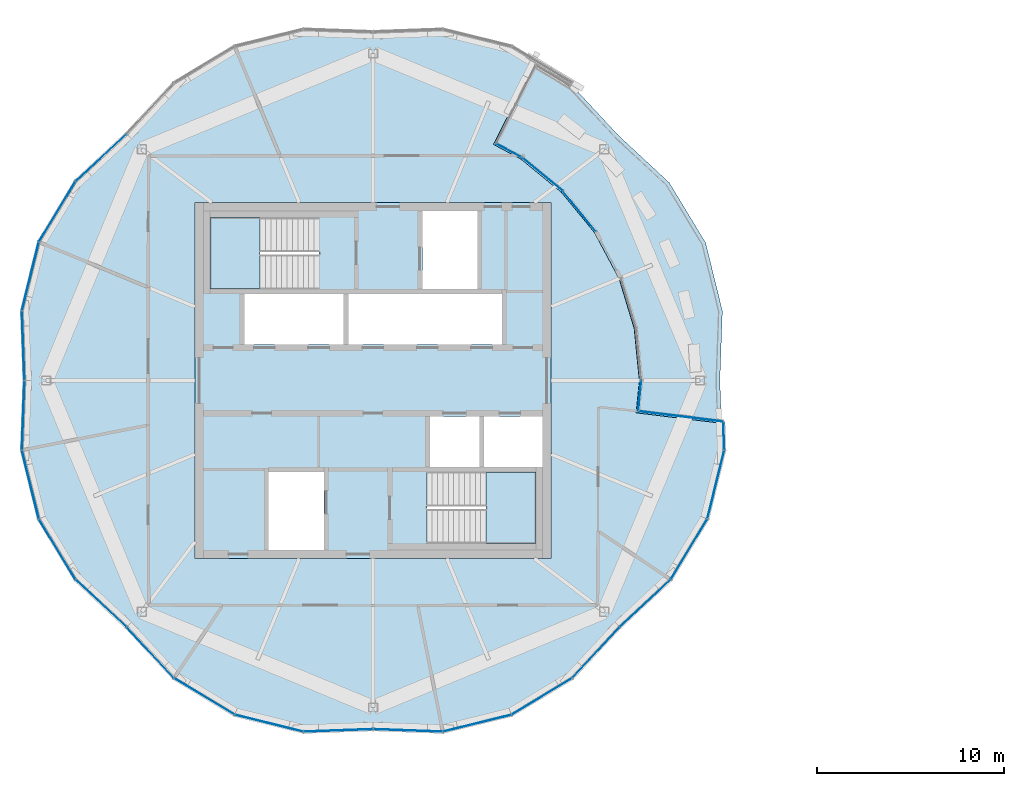
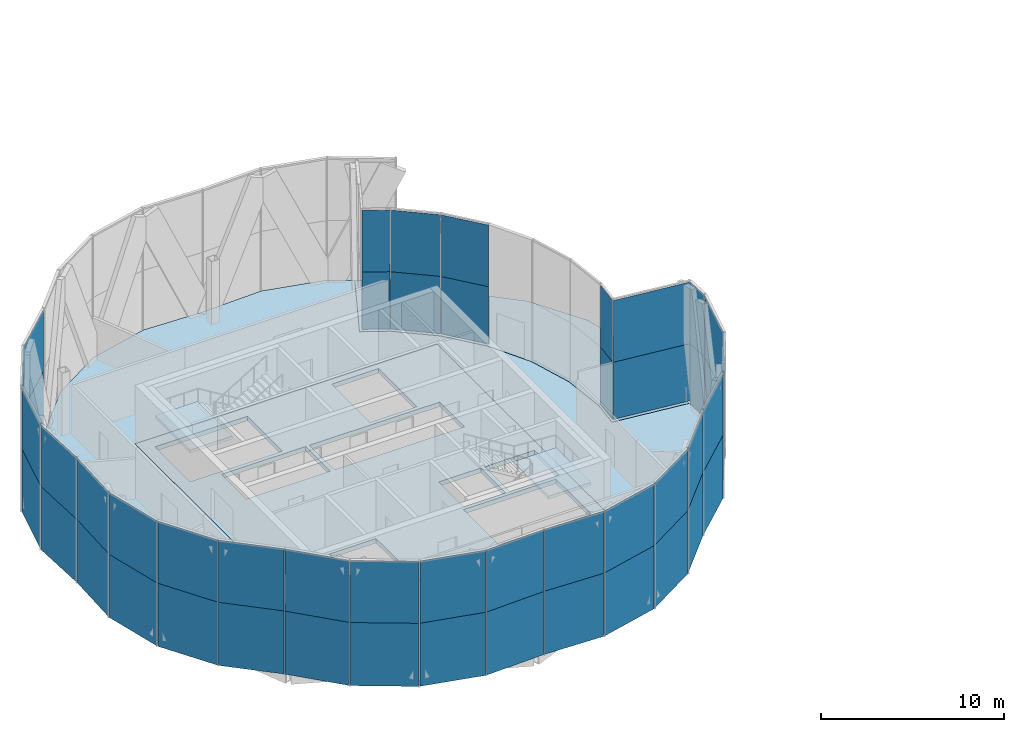
# One storey, part 13 of 24: 50 plates, 5 slabs, 11 elements without a shape of their own.
"""IFC4 building model written with IfcOpenShell, lengths in metres."""

from ifc_helpers import new_model, si_unit, direction, frame, origin, origin_2d, place, context, subcontext, project, spatial, polyline, rectangle, outline, extrude, material, layer, layer_set, type_object, element, aggregate, save


model = new_model("IFC4")

# Units and contexts
model_context = context("Model", 3, precision=1e-05, world=origin(), true_north=direction((0.0, 1.0)))
body_context = subcontext(model_context, "Body", "Model", "MODEL_VIEW")
ifc_project = project(units=[si_unit("LENGTHUNIT", "METRE"), si_unit("AREAUNIT", "SQUARE_METRE"), si_unit("VOLUMEUNIT", "CUBIC_METRE"), si_unit("PLANEANGLEUNIT", "RADIAN"), si_unit("MASSUNIT", "GRAM", prefix="KILO")], contexts=[model_context])

# Site, building, storey
site_placement = place(None, origin())
site = spatial("IfcSite", under=ifc_project, at=site_placement, CompositionType="ELEMENT")
building_placement = place(site_placement, origin())
building = spatial("IfcBuilding", under=site, at=building_placement, Name="Ogive Gate Towers", CompositionType="ELEMENT")
storey_placement = place(building_placement, frame((0.0, 0.0, 277.199951171875)))
storey = spatial("IfcBuildingStorey", under=building, at=storey_placement, Name="L65", CompositionType="ELEMENT", Elevation=277.199951171875)

# Slabs
ifc_material_1 = material(Name="Concrete C40/50", Category="concrete")
ifc_layer_1 = layer(ifc_material_1, 0.300048828125)
ifc_layer_set_1 = layer_set([ifc_layer_1], Name="Core slab C40/50 300 mm")
slab_type_1 = type_object("IfcSlabType", Name="Core slab C40/50 300 mm", PredefinedType="FLOOR", material=ifc_layer_set_1)
slab_1_placement = place(storey_placement, frame((0.0, 0.0, -0.300048828125)))
element("IfcSlab", 1, at=slab_1_placement, inside=storey, type_object=slab_type_1, Name="T1 L65 core slab", PredefinedType="FLOOR", context=body_context, shape_type="SweptSolid", body=[
    extrude(outline(polyline([(-45.5, -9.5), (-45.5, 9.5), (-26.5, 9.5), (-26.5, -9.5), (-45.5, -9.5)]), holes=[polyline([(-42.875, 1.925048828125), (-37.574951171875, 1.925048828125), (-37.574951171875, 4.625), (-42.875, 4.625), (-42.875, 1.925048828125)]), polyline([(-37.324951171875, 4.625), (-37.324951171875, 1.925048828125), (-29.125, 1.925048828125), (-29.125, 4.625), (-37.324951171875, 4.625)]), polyline([(-30.324951171875, -1.925048828125), (-32.97509765625, -1.925048828125), (-32.97509765625, -4.625), (-30.324951171875, -4.625), (-30.324951171875, -1.925048828125)]), polyline([(-26.949951171875, -4.625), (-26.949951171875, -1.925048828125), (-30.074951171875, -1.925048828125), (-30.074951171875, -4.625), (-26.949951171875, -4.625)]), polyline([(-33.375, 4.875), (-30.425048828125, 4.875), (-30.425048828125, 9.050048828125), (-33.375, 9.050048828125), (-33.375, 4.875)]), polyline([(-41.574951171875, -4.875), (-41.574951171875, -9.050048828125), (-38.625, -9.050048828125), (-38.625, -4.875), (-41.574951171875, -4.875)]), polyline([(-44.699951171875, 4.875), (-38.885009765625, 4.875), (-38.885009765625, 8.699951171875), (-44.699951171875, 8.699951171875), (-44.699951171875, 4.875)]), polyline([(-27.300048828125, -8.699951171875), (-27.300048828125, -4.875), (-33.114990234375, -4.875), (-33.114990234375, -8.699951171875), (-27.300048828125, -8.699951171875)])]), origin(), (0.0, 0.0, 1.0), 0.300048828125),
])
ifc_material_2 = material(Name="Concrete C35/45", Category="concrete")
ifc_layer_2 = layer(ifc_material_2, 0.300048828125)
ifc_layer_set_2 = layer_set([ifc_layer_2], Name="Floor slab 300")
slab_type_2 = type_object("IfcSlabType", Name="Floor slab 300", PredefinedType="FLOOR", material=ifc_layer_set_2)
slab_2_placement = place(storey_placement, frame((0.0, 0.0, -0.300048828125)))
element("IfcSlab", 2, at=slab_2_placement, inside=storey, type_object=slab_type_2, Name="T1/L65/SSL001", PredefinedType="FLOOR", context=body_context, shape_type="SweptSolid", body=[
    extrude(outline(polyline([(-18.252197265625, -7.351318359375), (-17.355224609375, -3.708740234375), (-17.406982421875, -2.282958984375), (-21.959716796875, -1.723876953125), (-21.7900390625, 0.0), (-22.06298828125, 2.772216796875), (-22.87158203125, 5.43798828125), (-24.184814453125, 7.89453125), (-25.951904296875, 10.048095703125), (-28.10546875, 11.815185546875), (-29.57861328125, 12.602783203125), (-27.35546875, 16.965576171875), (-25.438720703125, 15.80615234375), (-28.648681640625, 17.747802734375), (-32.291259765625, 18.644775390625), (-36.0, 18.510009765625), (-39.708740234375, 18.644775390625), (-43.351318359375, 17.747802734375), (-46.561279296875, 15.80615234375), (-49.088623046875, 13.088623046875), (-51.80615234375, 10.561279296875), (-53.747802734375, 7.351318359375), (-54.644775390625, 3.708740234375), (-54.510009765625, 0.0), (-54.644775390625, -3.708740234375), (-53.747802734375, -7.351318359375), (-51.80615234375, -10.561279296875), (-49.088623046875, -13.088623046875), (-46.561279296875, -15.80615234375), (-43.351318359375, -17.747802734375), (-39.708740234375, -18.644775390625), (-36.0, -18.510009765625), (-32.291259765625, -18.644775390625), (-28.648681640625, -17.747802734375), (-25.438720703125, -15.80615234375), (-22.911376953125, -13.088623046875), (-20.19384765625, -10.561279296875), (-18.252197265625, -7.351318359375)]), holes=[polyline([(-26.5, -9.5), (-45.5, -9.5), (-45.5, 9.5), (-26.5, 9.5), (-26.5, -9.5)])]), origin(), (0.0, 0.0, 1.0), 0.300048828125),
])

# Curtain wall, plates
ifc_material_3 = material(Name="Pale metal aluminium", Category="aluminium")
curtain_wall_type_1 = type_object("IfcCurtainWallType", Name="Sky garden glazing", PredefinedType="NOTDEFINED", material=ifc_material_3)
curtain_wall_1_placement = place(storey_placement, origin())
curtain_wall_1 = element("IfcCurtainWall", 3, at=curtain_wall_1_placement, inside=storey, type_object=curtain_wall_type_1, Name="CW4 T1 ECW01", PredefinedType="NOTDEFINED")
ifc_material_4 = material(Name="Clear glass", Category="glass")
ifc_layer_3 = layer(ifc_material_4, 0.028076171875)
ifc_layer_set_3 = layer_set([ifc_layer_3], Name="Sky garden glazing glass panel")
plate_type_1 = type_object("IfcPlateType", Name="Sky garden glazing glass panel", PredefinedType="CURTAIN_PANEL", material=ifc_layer_set_3)
plate_1_placement = place(storey_placement, frame((-24.9912109375, 9.03466796875, 0.09619140625), z_axis=(0.0, 0.0, 1.0), x_axis=(0.634406775645, -0.772999380993, 0.0)))
plate_1 = element("IfcPlate", 4, at=plate_1_placement, type_object=plate_type_1, Name="CW4 glass panel", PredefinedType="CURTAIN_PANEL", context=body_context, shape_type="SweptSolid", body=[
    extrude(rectangle(XDim=2.76123046875, YDim=0.028076171875, at=origin_2d()), origin(), (0.0, 0.0, 1.0), 3.803955078125),
])
plate_2_placement = place(storey_placement, frame((-24.9912109375, 9.03466796875, 3.900146484375), z_axis=(0.0, 0.0, 1.0), x_axis=(0.634406775645, -0.772999380993, 0.0)))
plate_2 = element("IfcPlate", 5, at=plate_2_placement, type_object=plate_type_1, Name="CW4 glass panel", PredefinedType="CURTAIN_PANEL", context=body_context, shape_type="SweptSolid", body=[
    extrude(rectangle(XDim=2.76123046875, YDim=0.028076171875, at=origin_2d()), origin(), (0.0, 0.0, 1.0), 4.10400390625),
])
aggregate(curtain_wall_1, [plate_1, plate_2])

curtain_wall_2_placement = place(storey_placement, origin())
curtain_wall_2 = element("IfcCurtainWall", 6, at=curtain_wall_2_placement, inside=storey, type_object=curtain_wall_type_1, Name="CW4 T1 ECW02", PredefinedType="NOTDEFINED")
plate_3_placement = place(storey_placement, frame((-28.74169921875, 12.268798828125, 0.09619140625), z_axis=(0.0, 0.0, 1.0), x_axis=(0.881921264348, -0.471396736826, 0.0)))
plate_3 = element("IfcPlate", 7, at=plate_3_placement, type_object=plate_type_1, Name="CW4 glass panel", PredefinedType="CURTAIN_PANEL", context=body_context, shape_type="SweptSolid", body=[
    extrude(rectangle(XDim=1.519287109375, YDim=0.028076171875, at=origin_2d()), origin(), (0.0, 0.0, 1.0), 3.803955078125),
])
plate_4_placement = place(storey_placement, frame((-28.74169921875, 12.268798828125, 3.900146484375), z_axis=(0.0, 0.0, 1.0), x_axis=(0.881921264348, -0.471396736826, 0.0)))
plate_4 = element("IfcPlate", 8, at=plate_4_placement, type_object=plate_type_1, Name="CW4 glass panel", PredefinedType="CURTAIN_PANEL", context=body_context, shape_type="SweptSolid", body=[
    extrude(rectangle(XDim=1.519287109375, YDim=0.028076171875, at=origin_2d()), origin(), (0.0, 0.0, 1.0), 4.10400390625),
])
plate_5_placement = place(storey_placement, frame((-26.9638671875, 11.0078125, 0.09619140625), z_axis=(0.0, 0.0, 1.0), x_axis=(0.772999380993, -0.634406775645, 0.0)))
plate_5 = element("IfcPlate", 9, at=plate_5_placement, type_object=plate_type_1, Name="CW4 glass panel", PredefinedType="CURTAIN_PANEL", context=body_context, shape_type="SweptSolid", body=[
    extrude(rectangle(XDim=2.7578125, YDim=0.028076171875, at=origin_2d()), origin(), (0.0, 0.0, 1.0), 3.803955078125),
])
plate_6_placement = place(storey_placement, frame((-26.9638671875, 11.0078125, 3.900146484375), z_axis=(0.0, 0.0, 1.0), x_axis=(0.772999380993, -0.634406775645, 0.0)))
plate_6 = element("IfcPlate", 10, at=plate_6_placement, type_object=plate_type_1, Name="CW4 glass panel", PredefinedType="CURTAIN_PANEL", context=body_context, shape_type="SweptSolid", body=[
    extrude(rectangle(XDim=2.7578125, YDim=0.028076171875, at=origin_2d()), origin(), (0.0, 0.0, 1.0), 4.10400390625),
])
aggregate(curtain_wall_2, [plate_3, plate_4, plate_5, plate_6])

curtain_wall_3_placement = place(storey_placement, origin())
curtain_wall_3 = element("IfcCurtainWall", 11, at=curtain_wall_3_placement, inside=storey, type_object=curtain_wall_type_1, Name="CW4 T1 ECW03", PredefinedType="NOTDEFINED")
plate_7_placement = place(storey_placement, frame((-21.769287109375, -0.810546875, 0.09619140625), z_axis=(0.0, 0.0, 1.0), x_axis=(-0.09801714033, -0.995184726672, 0.0)))
plate_7 = element("IfcPlate", 12, at=plate_7_placement, type_object=plate_type_1, Name="CW4 glass panel", PredefinedType="CURTAIN_PANEL", context=body_context, shape_type="SweptSolid", body=[
    extrude(rectangle(XDim=1.5849609375, YDim=0.028076171875, at=origin_2d()), origin(), (0.0, 0.0, 1.0), 3.803955078125),
])
plate_8_placement = place(storey_placement, frame((-21.769287109375, -0.810546875, 3.900146484375), z_axis=(0.0, 0.0, 1.0), x_axis=(-0.09801714033, -0.995184726672, 0.0)))
plate_8 = element("IfcPlate", 13, at=plate_8_placement, type_object=plate_type_1, Name="CW4 glass panel", PredefinedType="CURTAIN_PANEL", context=body_context, shape_type="SweptSolid", body=[
    extrude(rectangle(XDim=1.5849609375, YDim=0.028076171875, at=origin_2d()), origin(), (0.0, 0.0, 1.0), 4.10400390625),
])
plate_9_placement = place(storey_placement, frame((-19.57275390625, -1.916259765625, 0.09619140625), z_axis=(0.0, 0.0, 1.0), x_axis=(0.992546151641, -0.121869343405, 0.0)))
plate_9 = element("IfcPlate", 14, at=plate_9_placement, type_object=plate_type_1, Name="CW4 glass panel", PredefinedType="CURTAIN_PANEL", context=body_context, shape_type="SweptSolid", body=[
    extrude(rectangle(XDim=4.514892578125, YDim=0.028076171875, at=origin_2d()), origin(), (0.0, 0.0, 1.0), 3.803955078125),
])
plate_10_placement = place(storey_placement, frame((-19.57275390625, -1.916259765625, 3.900146484375), z_axis=(0.0, 0.0, 1.0), x_axis=(0.992546151641, -0.121869343405, 0.0)))
plate_10 = element("IfcPlate", 15, at=plate_10_placement, type_object=plate_type_1, Name="CW4 glass panel", PredefinedType="CURTAIN_PANEL", context=body_context, shape_type="SweptSolid", body=[
    extrude(rectangle(XDim=4.514892578125, YDim=0.028076171875, at=origin_2d()), origin(), (0.0, 0.0, 1.0), 4.10400390625),
])
aggregate(curtain_wall_3, [plate_7, plate_8, plate_9, plate_10])

# Stair, slab
stair_type = type_object("IfcStairType", Name="Escape stair 1840 wide", PredefinedType="HALF_TURN_STAIR", material=ifc_material_1)
stair_1_placement = place(storey_placement, origin())
stair_1 = element("IfcStair", 16, at=stair_1_placement, inside=storey, type_object=stair_type, Name="L65 Escape stair 1", PredefinedType="HALF_TURN_STAIR")
ifc_layer_4 = layer(ifc_material_1, 0.199951171875)
ifc_layer_set_4 = layer_set([ifc_layer_4], Name="Stair landing 200 mm")
slab_type_3 = type_object("IfcSlabType", Name="Stair landing 200 mm", PredefinedType="LANDING", material=ifc_layer_set_4)
slab_3_placement = place(storey_placement, frame((0.0, 0.0, 1.900146484375)))
slab_3 = element("IfcSlab", 17, at=slab_3_placement, type_object=slab_type_3, Name="ST1 landing 1", PredefinedType="LANDING", context=body_context, shape_type="SweptSolid", body=[
    extrude(outline(polyline([(-42.027587890625, 8.699951171875), (-44.699951171875, 8.699951171875), (-44.699951171875, 4.875), (-42.027587890625, 4.875), (-42.027587890625, 8.699951171875)])), origin(), (0.0, 0.0, 1.0), 0.199951171875),
])
aggregate(stair_1, [slab_3])

stair_2_placement = place(storey_placement, origin())
stair_2 = element("IfcStair", 18, at=stair_2_placement, inside=storey, type_object=stair_type, Name="L65 Escape stair 2", PredefinedType="HALF_TURN_STAIR")
slab_4_placement = place(storey_placement, frame((0.0, 0.0, 1.900146484375)))
slab_4 = element("IfcSlab", 19, at=slab_4_placement, type_object=slab_type_3, Name="ST2 landing 1", PredefinedType="LANDING", context=body_context, shape_type="SweptSolid", body=[
    extrude(outline(polyline([(-29.972412109375, -8.699951171875), (-27.300048828125, -8.699951171875), (-27.300048828125, -4.875), (-29.972412109375, -4.875), (-29.972412109375, -8.699951171875)])), origin(), (0.0, 0.0, 1.0), 0.199951171875),
])
aggregate(stair_2, [slab_4])

# Slab
ifc_layer_5 = layer(ifc_material_2, 0.300048828125)
ifc_layer_set_5 = layer_set([ifc_layer_5], Name="Terrace slab 300")
slab_type_4 = type_object("IfcSlabType", Name="Terrace slab 300", PredefinedType="FLOOR", material=ifc_layer_set_5)
slab_5_placement = place(storey_placement, frame((0.0, 0.0, -0.300048828125)))
element("IfcSlab", 20, at=slab_5_placement, inside=storey, type_object=slab_type_4, Name="T1/L65/SSL002", PredefinedType="FLOOR", context=body_context, shape_type="SweptSolid", body=[
    extrude(outline(polyline([(-21.959716796875, -1.723876953125), (-17.406982421875, -2.282958984375), (-17.489990234375, 0.0), (-17.355224609375, 3.708740234375), (-18.252197265625, 7.351318359375), (-20.19384765625, 10.561279296875), (-22.911376953125, 13.088623046875), (-25.438720703125, 15.80615234375), (-27.35546875, 16.965576171875), (-29.57861328125, 12.602783203125), (-28.10546875, 11.815185546875), (-25.951904296875, 10.048095703125), (-24.184814453125, 7.89453125), (-22.87158203125, 5.43798828125), (-22.06298828125, 2.772216796875), (-21.7900390625, 0.0), (-21.959716796875, -1.723876953125)])), origin(), (0.0, 0.0, 1.0), 0.300048828125),
])

# Curtain wall, plates
curtain_wall_type_2 = type_object("IfcCurtainWallType", Name="Tower unitised wall, high zone", PredefinedType="NOTDEFINED", material=ifc_material_3)
curtain_wall_4_placement = place(storey_placement, origin())
curtain_wall_4 = element("IfcCurtainWall", 21, at=curtain_wall_4_placement, inside=storey, type_object=curtain_wall_type_2, Name="CW2 T1 ECW06", PredefinedType="NOTDEFINED")
ifc_layer_6 = layer(ifc_material_4, 0.028076171875)
ifc_layer_set_6 = layer_set([ifc_layer_6], Name="Tower unitised wall, high zone glass panel")
plate_type_2 = type_object("IfcPlateType", Name="Tower unitised wall, high zone glass panel", PredefinedType="CURTAIN_PANEL", material=ifc_layer_set_6)
plate_11_placement = place(storey_placement, frame((-54.677490234375, 1.857421875, -0.2998046875), z_axis=(0.0, 0.0, 1.0), x_axis=(-0.036294875066, 0.999341123963, 0.0)))
plate_11 = element("IfcPlate", 22, at=plate_11_placement, type_object=plate_type_2, Name="CW2 glass panel", PredefinedType="CURTAIN_PANEL", context=body_context, shape_type="SweptSolid", body=[
    extrude(rectangle(XDim=3.66357421875, YDim=0.028076171875, at=origin_2d()), origin(), (0.0, 0.0, 1.0), 4.199951171875),
])
plate_12_placement = place(storey_placement, frame((-54.677490234375, 1.857421875, 3.900146484375), z_axis=(0.0, 0.0, 1.0), x_axis=(-0.036294875066, 0.999341123963, 0.0)))
plate_12 = element("IfcPlate", 23, at=plate_12_placement, type_object=plate_type_2, Name="CW2 glass panel", PredefinedType="CURTAIN_PANEL", context=body_context, shape_type="SweptSolid", body=[
    extrude(rectangle(XDim=3.66357421875, YDim=0.028076171875, at=origin_2d()), origin(), (0.0, 0.0, 1.0), 4.10400390625),
])
plate_13_placement = place(storey_placement, frame((-54.293212890625, 5.554443359375, -0.2998046875), z_axis=(0.0, 0.0, 1.0), x_axis=(0.239109698229, 0.970992560328, 0.0)))
plate_13 = element("IfcPlate", 24, at=plate_13_placement, type_object=plate_type_2, Name="CW2 glass panel", PredefinedType="CURTAIN_PANEL", context=body_context, shape_type="SweptSolid", body=[
    extrude(rectangle(XDim=3.71875, YDim=0.028076171875, at=origin_2d()), origin(), (0.0, 0.0, 1.0), 4.199951171875),
])
plate_14_placement = place(storey_placement, frame((-54.293212890625, 5.554443359375, 3.900146484375), z_axis=(0.0, 0.0, 1.0), x_axis=(0.239109698229, 0.970992560328, 0.0)))
plate_14 = element("IfcPlate", 25, at=plate_14_placement, type_object=plate_type_2, Name="CW2 glass panel", PredefinedType="CURTAIN_PANEL", context=body_context, shape_type="SweptSolid", body=[
    extrude(rectangle(XDim=3.71875, YDim=0.028076171875, at=origin_2d()), origin(), (0.0, 0.0, 1.0), 4.10400390625),
])
plate_15_placement = place(storey_placement, frame((-52.86279296875, 9.0078125, -0.2998046875), z_axis=(0.0, 0.0, 1.0), x_axis=(0.517519334825, 0.855671512955, 0.0)))
plate_15 = element("IfcPlate", 26, at=plate_15_placement, type_object=plate_type_2, Name="CW2 glass panel", PredefinedType="CURTAIN_PANEL", context=body_context, shape_type="SweptSolid", body=[
    extrude(rectangle(XDim=3.718505859375, YDim=0.028076171875, at=origin_2d()), origin(), (0.0, 0.0, 1.0), 4.199951171875),
])
plate_16_placement = place(storey_placement, frame((-52.86279296875, 9.0078125, 3.900146484375), z_axis=(0.0, 0.0, 1.0), x_axis=(0.517519334825, 0.855671512955, 0.0)))
plate_16 = element("IfcPlate", 27, at=plate_16_placement, type_object=plate_type_2, Name="CW2 glass panel", PredefinedType="CURTAIN_PANEL", context=body_context, shape_type="SweptSolid", body=[
    extrude(rectangle(XDim=3.718505859375, YDim=0.028076171875, at=origin_2d()), origin(), (0.0, 0.0, 1.0), 4.10400390625),
])
plate_17_placement = place(storey_placement, frame((-50.5205078125, 11.8935546875, -0.2998046875), z_axis=(0.0, 0.0, 1.0), x_axis=(0.732317122925, 0.680963751951, 0.0)))
plate_17 = element("IfcPlate", 28, at=plate_17_placement, type_object=plate_type_2, Name="CW2 glass panel", PredefinedType="CURTAIN_PANEL", context=body_context, shape_type="SweptSolid", body=[
    extrude(rectangle(XDim=3.66357421875, YDim=0.028076171875, at=origin_2d()), origin(), (0.0, 0.0, 1.0), 4.199951171875),
])
plate_18_placement = place(storey_placement, frame((-50.5205078125, 11.8935546875, 3.900146484375), z_axis=(0.0, 0.0, 1.0), x_axis=(0.732317122925, 0.680963751951, 0.0)))
plate_18 = element("IfcPlate", 29, at=plate_18_placement, type_object=plate_type_2, Name="CW2 glass panel", PredefinedType="CURTAIN_PANEL", context=body_context, shape_type="SweptSolid", body=[
    extrude(rectangle(XDim=3.66357421875, YDim=0.028076171875, at=origin_2d()), origin(), (0.0, 0.0, 1.0), 4.10400390625),
])
aggregate(curtain_wall_4, [plate_11, plate_12, plate_13, plate_14, plate_15, plate_16, plate_17, plate_18])

curtain_wall_5_placement = place(storey_placement, origin())
curtain_wall_5 = element("IfcCurtainWall", 30, at=curtain_wall_5_placement, inside=storey, type_object=curtain_wall_type_2, Name="CW2 T1 ECW07", PredefinedType="NOTDEFINED")
plate_19_placement = place(storey_placement, frame((-50.5205078125, -11.8935546875, -0.2998046875), z_axis=(0.0, 0.0, 1.0), x_axis=(-0.732317122925, 0.680963751951, 0.0)))
plate_19 = element("IfcPlate", 31, at=plate_19_placement, type_object=plate_type_2, Name="CW2 glass panel", PredefinedType="CURTAIN_PANEL", context=body_context, shape_type="SweptSolid", body=[
    extrude(rectangle(XDim=3.66357421875, YDim=0.028076171875, at=origin_2d()), origin(), (0.0, 0.0, 1.0), 4.199951171875),
])
plate_20_placement = place(storey_placement, frame((-50.5205078125, -11.8935546875, 3.900146484375), z_axis=(0.0, 0.0, 1.0), x_axis=(-0.732317122925, 0.680963751951, 0.0)))
plate_20 = element("IfcPlate", 32, at=plate_20_placement, type_object=plate_type_2, Name="CW2 glass panel", PredefinedType="CURTAIN_PANEL", context=body_context, shape_type="SweptSolid", body=[
    extrude(rectangle(XDim=3.66357421875, YDim=0.028076171875, at=origin_2d()), origin(), (0.0, 0.0, 1.0), 4.10400390625),
])
plate_21_placement = place(storey_placement, frame((-52.86279296875, -9.0078125, -0.2998046875), z_axis=(0.0, 0.0, 1.0), x_axis=(-0.517519334825, 0.855671512955, 0.0)))
plate_21 = element("IfcPlate", 33, at=plate_21_placement, type_object=plate_type_2, Name="CW2 glass panel", PredefinedType="CURTAIN_PANEL", context=body_context, shape_type="SweptSolid", body=[
    extrude(rectangle(XDim=3.718505859375, YDim=0.028076171875, at=origin_2d()), origin(), (0.0, 0.0, 1.0), 4.199951171875),
])
plate_22_placement = place(storey_placement, frame((-52.86279296875, -9.0078125, 3.900146484375), z_axis=(0.0, 0.0, 1.0), x_axis=(-0.517519334825, 0.855671512955, 0.0)))
plate_22 = element("IfcPlate", 34, at=plate_22_placement, type_object=plate_type_2, Name="CW2 glass panel", PredefinedType="CURTAIN_PANEL", context=body_context, shape_type="SweptSolid", body=[
    extrude(rectangle(XDim=3.718505859375, YDim=0.028076171875, at=origin_2d()), origin(), (0.0, 0.0, 1.0), 4.10400390625),
])
plate_23_placement = place(storey_placement, frame((-54.293212890625, -5.554443359375, -0.2998046875), z_axis=(0.0, 0.0, 1.0), x_axis=(-0.239109698229, 0.970992560328, 0.0)))
plate_23 = element("IfcPlate", 35, at=plate_23_placement, type_object=plate_type_2, Name="CW2 glass panel", PredefinedType="CURTAIN_PANEL", context=body_context, shape_type="SweptSolid", body=[
    extrude(rectangle(XDim=3.71875, YDim=0.028076171875, at=origin_2d()), origin(), (0.0, 0.0, 1.0), 4.199951171875),
])
plate_24_placement = place(storey_placement, frame((-54.293212890625, -5.554443359375, 3.900146484375), z_axis=(0.0, 0.0, 1.0), x_axis=(-0.239109698229, 0.970992560328, 0.0)))
plate_24 = element("IfcPlate", 36, at=plate_24_placement, type_object=plate_type_2, Name="CW2 glass panel", PredefinedType="CURTAIN_PANEL", context=body_context, shape_type="SweptSolid", body=[
    extrude(rectangle(XDim=3.71875, YDim=0.028076171875, at=origin_2d()), origin(), (0.0, 0.0, 1.0), 4.10400390625),
])
plate_25_placement = place(storey_placement, frame((-54.677490234375, -1.857421875, -0.2998046875), z_axis=(0.0, 0.0, 1.0), x_axis=(0.036294875066, 0.999341123963, 0.0)))
plate_25 = element("IfcPlate", 37, at=plate_25_placement, type_object=plate_type_2, Name="CW2 glass panel", PredefinedType="CURTAIN_PANEL", context=body_context, shape_type="SweptSolid", body=[
    extrude(rectangle(XDim=3.66357421875, YDim=0.028076171875, at=origin_2d()), origin(), (0.0, 0.0, 1.0), 4.199951171875),
])
plate_26_placement = place(storey_placement, frame((-54.677490234375, -1.857421875, 3.900146484375), z_axis=(0.0, 0.0, 1.0), x_axis=(0.036294875066, 0.999341123963, 0.0)))
plate_26 = element("IfcPlate", 38, at=plate_26_placement, type_object=plate_type_2, Name="CW2 glass panel", PredefinedType="CURTAIN_PANEL", context=body_context, shape_type="SweptSolid", body=[
    extrude(rectangle(XDim=3.66357421875, YDim=0.028076171875, at=origin_2d()), origin(), (0.0, 0.0, 1.0), 4.10400390625),
])
aggregate(curtain_wall_5, [plate_19, plate_20, plate_21, plate_22, plate_23, plate_24, plate_25, plate_26])

curtain_wall_6_placement = place(storey_placement, origin())
curtain_wall_6 = element("IfcCurtainWall", 39, at=curtain_wall_6_placement, inside=storey, type_object=curtain_wall_type_2, Name="CW2 T1 ECW08", PredefinedType="NOTDEFINED")
plate_27_placement = place(storey_placement, frame((-37.857421875, -18.677490234375, -0.2998046875), z_axis=(0.0, 0.0, 1.0), x_axis=(-0.999341123963, -0.036294875066, 0.0)))
plate_27 = element("IfcPlate", 40, at=plate_27_placement, type_object=plate_type_2, Name="CW2 glass panel", PredefinedType="CURTAIN_PANEL", context=body_context, shape_type="SweptSolid", body=[
    extrude(rectangle(XDim=3.66357421875, YDim=0.028076171875, at=origin_2d()), origin(), (0.0, 0.0, 1.0), 4.199951171875),
])
plate_28_placement = place(storey_placement, frame((-37.857421875, -18.677490234375, 3.900146484375), z_axis=(0.0, 0.0, 1.0), x_axis=(-0.999341123963, -0.036294875066, 0.0)))
plate_28 = element("IfcPlate", 41, at=plate_28_placement, type_object=plate_type_2, Name="CW2 glass panel", PredefinedType="CURTAIN_PANEL", context=body_context, shape_type="SweptSolid", body=[
    extrude(rectangle(XDim=3.66357421875, YDim=0.028076171875, at=origin_2d()), origin(), (0.0, 0.0, 1.0), 4.10400390625),
])
plate_29_placement = place(storey_placement, frame((-41.554443359375, -18.293212890625, -0.2998046875), z_axis=(0.0, 0.0, 1.0), x_axis=(-0.970992560328, 0.239109698229, 0.0)))
plate_29 = element("IfcPlate", 42, at=plate_29_placement, type_object=plate_type_2, Name="CW2 glass panel", PredefinedType="CURTAIN_PANEL", context=body_context, shape_type="SweptSolid", body=[
    extrude(rectangle(XDim=3.71875, YDim=0.028076171875, at=origin_2d()), origin(), (0.0, 0.0, 1.0), 4.199951171875),
])
plate_30_placement = place(storey_placement, frame((-41.554443359375, -18.293212890625, 3.900146484375), z_axis=(0.0, 0.0, 1.0), x_axis=(-0.970992560328, 0.239109698229, 0.0)))
plate_30 = element("IfcPlate", 43, at=plate_30_placement, type_object=plate_type_2, Name="CW2 glass panel", PredefinedType="CURTAIN_PANEL", context=body_context, shape_type="SweptSolid", body=[
    extrude(rectangle(XDim=3.71875, YDim=0.028076171875, at=origin_2d()), origin(), (0.0, 0.0, 1.0), 4.10400390625),
])
plate_31_placement = place(storey_placement, frame((-45.0078125, -16.86279296875, -0.2998046875), z_axis=(0.0, 0.0, 1.0), x_axis=(-0.855671512955, 0.517519334825, 0.0)))
plate_31 = element("IfcPlate", 44, at=plate_31_placement, type_object=plate_type_2, Name="CW2 glass panel", PredefinedType="CURTAIN_PANEL", context=body_context, shape_type="SweptSolid", body=[
    extrude(rectangle(XDim=3.718505859375, YDim=0.028076171875, at=origin_2d()), origin(), (0.0, 0.0, 1.0), 4.199951171875),
])
plate_32_placement = place(storey_placement, frame((-45.0078125, -16.86279296875, 3.900146484375), z_axis=(0.0, 0.0, 1.0), x_axis=(-0.855671512955, 0.517519334825, 0.0)))
plate_32 = element("IfcPlate", 45, at=plate_32_placement, type_object=plate_type_2, Name="CW2 glass panel", PredefinedType="CURTAIN_PANEL", context=body_context, shape_type="SweptSolid", body=[
    extrude(rectangle(XDim=3.718505859375, YDim=0.028076171875, at=origin_2d()), origin(), (0.0, 0.0, 1.0), 4.10400390625),
])
plate_33_placement = place(storey_placement, frame((-47.8935546875, -14.5205078125, -0.2998046875), z_axis=(0.0, 0.0, 1.0), x_axis=(-0.680963751951, 0.732317122925, 0.0)))
plate_33 = element("IfcPlate", 46, at=plate_33_placement, type_object=plate_type_2, Name="CW2 glass panel", PredefinedType="CURTAIN_PANEL", context=body_context, shape_type="SweptSolid", body=[
    extrude(rectangle(XDim=3.66357421875, YDim=0.028076171875, at=origin_2d()), origin(), (0.0, 0.0, 1.0), 4.199951171875),
])
plate_34_placement = place(storey_placement, frame((-47.8935546875, -14.5205078125, 3.900146484375), z_axis=(0.0, 0.0, 1.0), x_axis=(-0.680963751951, 0.732317122925, 0.0)))
plate_34 = element("IfcPlate", 47, at=plate_34_placement, type_object=plate_type_2, Name="CW2 glass panel", PredefinedType="CURTAIN_PANEL", context=body_context, shape_type="SweptSolid", body=[
    extrude(rectangle(XDim=3.66357421875, YDim=0.028076171875, at=origin_2d()), origin(), (0.0, 0.0, 1.0), 4.10400390625),
])
aggregate(curtain_wall_6, [plate_27, plate_28, plate_29, plate_30, plate_31, plate_32, plate_33, plate_34])

curtain_wall_7_placement = place(storey_placement, origin())
curtain_wall_7 = element("IfcCurtainWall", 48, at=curtain_wall_7_placement, inside=storey, type_object=curtain_wall_type_2, Name="CW2 T1 ECW09", PredefinedType="NOTDEFINED")
plate_35_placement = place(storey_placement, frame((-24.1064453125, -14.5205078125, -0.2998046875), z_axis=(0.0, 0.0, 1.0), x_axis=(-0.680963751951, -0.732317122925, 0.0)))
plate_35 = element("IfcPlate", 49, at=plate_35_placement, type_object=plate_type_2, Name="CW2 glass panel", PredefinedType="CURTAIN_PANEL", context=body_context, shape_type="SweptSolid", body=[
    extrude(rectangle(XDim=3.66357421875, YDim=0.028076171875, at=origin_2d()), origin(), (0.0, 0.0, 1.0), 4.199951171875),
])
plate_36_placement = place(storey_placement, frame((-24.1064453125, -14.5205078125, 3.900146484375), z_axis=(0.0, 0.0, 1.0), x_axis=(-0.680963751951, -0.732317122925, 0.0)))
plate_36 = element("IfcPlate", 50, at=plate_36_placement, type_object=plate_type_2, Name="CW2 glass panel", PredefinedType="CURTAIN_PANEL", context=body_context, shape_type="SweptSolid", body=[
    extrude(rectangle(XDim=3.66357421875, YDim=0.028076171875, at=origin_2d()), origin(), (0.0, 0.0, 1.0), 4.10400390625),
])
plate_37_placement = place(storey_placement, frame((-26.9921875, -16.86279296875, -0.2998046875), z_axis=(0.0, 0.0, 1.0), x_axis=(-0.855671512955, -0.517519334825, 0.0)))
plate_37 = element("IfcPlate", 51, at=plate_37_placement, type_object=plate_type_2, Name="CW2 glass panel", PredefinedType="CURTAIN_PANEL", context=body_context, shape_type="SweptSolid", body=[
    extrude(rectangle(XDim=3.718505859375, YDim=0.028076171875, at=origin_2d()), origin(), (0.0, 0.0, 1.0), 4.199951171875),
])
plate_38_placement = place(storey_placement, frame((-26.9921875, -16.86279296875, 3.900146484375), z_axis=(0.0, 0.0, 1.0), x_axis=(-0.855671512955, -0.517519334825, 0.0)))
plate_38 = element("IfcPlate", 52, at=plate_38_placement, type_object=plate_type_2, Name="CW2 glass panel", PredefinedType="CURTAIN_PANEL", context=body_context, shape_type="SweptSolid", body=[
    extrude(rectangle(XDim=3.718505859375, YDim=0.028076171875, at=origin_2d()), origin(), (0.0, 0.0, 1.0), 4.10400390625),
])
plate_39_placement = place(storey_placement, frame((-30.445556640625, -18.293212890625, -0.2998046875), z_axis=(0.0, 0.0, 1.0), x_axis=(-0.970992560328, -0.239109698229, 0.0)))
plate_39 = element("IfcPlate", 53, at=plate_39_placement, type_object=plate_type_2, Name="CW2 glass panel", PredefinedType="CURTAIN_PANEL", context=body_context, shape_type="SweptSolid", body=[
    extrude(rectangle(XDim=3.71875, YDim=0.028076171875, at=origin_2d()), origin(), (0.0, 0.0, 1.0), 4.199951171875),
])
plate_40_placement = place(storey_placement, frame((-30.445556640625, -18.293212890625, 3.900146484375), z_axis=(0.0, 0.0, 1.0), x_axis=(-0.970992560328, -0.239109698229, 0.0)))
plate_40 = element("IfcPlate", 54, at=plate_40_placement, type_object=plate_type_2, Name="CW2 glass panel", PredefinedType="CURTAIN_PANEL", context=body_context, shape_type="SweptSolid", body=[
    extrude(rectangle(XDim=3.71875, YDim=0.028076171875, at=origin_2d()), origin(), (0.0, 0.0, 1.0), 4.10400390625),
])
plate_41_placement = place(storey_placement, frame((-34.142578125, -18.677490234375, -0.2998046875), z_axis=(0.0, 0.0, 1.0), x_axis=(-0.999341123963, 0.036294875066, 0.0)))
plate_41 = element("IfcPlate", 55, at=plate_41_placement, type_object=plate_type_2, Name="CW2 glass panel", PredefinedType="CURTAIN_PANEL", context=body_context, shape_type="SweptSolid", body=[
    extrude(rectangle(XDim=3.66357421875, YDim=0.028076171875, at=origin_2d()), origin(), (0.0, 0.0, 1.0), 4.199951171875),
])
plate_42_placement = place(storey_placement, frame((-34.142578125, -18.677490234375, 3.900146484375), z_axis=(0.0, 0.0, 1.0), x_axis=(-0.999341123963, 0.036294875066, 0.0)))
plate_42 = element("IfcPlate", 56, at=plate_42_placement, type_object=plate_type_2, Name="CW2 glass panel", PredefinedType="CURTAIN_PANEL", context=body_context, shape_type="SweptSolid", body=[
    extrude(rectangle(XDim=3.66357421875, YDim=0.028076171875, at=origin_2d()), origin(), (0.0, 0.0, 1.0), 4.10400390625),
])
aggregate(curtain_wall_7, [plate_35, plate_36, plate_37, plate_38, plate_39, plate_40, plate_41, plate_42])

curtain_wall_8_placement = place(storey_placement, origin())
curtain_wall_8 = element("IfcCurtainWall", 57, at=curtain_wall_8_placement, inside=storey, type_object=curtain_wall_type_2, Name="CW2 T1 ECW10", PredefinedType="NOTDEFINED")
plate_43_placement = place(storey_placement, frame((-17.706298828125, -5.552490234375, -0.2998046875), z_axis=(0.0, 0.0, 1.0), x_axis=(-0.239109698229, -0.970992560328, 0.0)))
plate_43 = element("IfcPlate", 58, at=plate_43_placement, type_object=plate_type_2, Name="CW2 glass panel", PredefinedType="CURTAIN_PANEL", context=body_context, shape_type="SweptSolid", body=[
    extrude(rectangle(XDim=3.72265625, YDim=0.028076171875, at=origin_2d()), origin(), (0.0, 0.0, 1.0), 4.199951171875),
])
plate_44_placement = place(storey_placement, frame((-17.706298828125, -5.552490234375, 3.900146484375), z_axis=(0.0, 0.0, 1.0), x_axis=(-0.239109698229, -0.970992560328, 0.0)))
plate_44 = element("IfcPlate", 59, at=plate_44_placement, type_object=plate_type_2, Name="CW2 glass panel", PredefinedType="CURTAIN_PANEL", context=body_context, shape_type="SweptSolid", body=[
    extrude(rectangle(XDim=3.72265625, YDim=0.028076171875, at=origin_2d()), origin(), (0.0, 0.0, 1.0), 4.10400390625),
])
plate_45_placement = place(storey_placement, frame((-19.13720703125, -9.0078125, -0.2998046875), z_axis=(0.0, 0.0, 1.0), x_axis=(-0.517519334825, -0.855671512955, 0.0)))
plate_45 = element("IfcPlate", 60, at=plate_45_placement, type_object=plate_type_2, Name="CW2 glass panel", PredefinedType="CURTAIN_PANEL", context=body_context, shape_type="SweptSolid", body=[
    extrude(rectangle(XDim=3.718505859375, YDim=0.028076171875, at=origin_2d()), origin(), (0.0, 0.0, 1.0), 4.199951171875),
])
plate_46_placement = place(storey_placement, frame((-19.13720703125, -9.0078125, 3.900146484375), z_axis=(0.0, 0.0, 1.0), x_axis=(-0.517519334825, -0.855671512955, 0.0)))
plate_46 = element("IfcPlate", 61, at=plate_46_placement, type_object=plate_type_2, Name="CW2 glass panel", PredefinedType="CURTAIN_PANEL", context=body_context, shape_type="SweptSolid", body=[
    extrude(rectangle(XDim=3.718505859375, YDim=0.028076171875, at=origin_2d()), origin(), (0.0, 0.0, 1.0), 4.10400390625),
])
plate_47_placement = place(storey_placement, frame((-21.4794921875, -11.8935546875, -0.2998046875), z_axis=(0.0, 0.0, 1.0), x_axis=(-0.732317122925, -0.680963751951, 0.0)))
plate_47 = element("IfcPlate", 62, at=plate_47_placement, type_object=plate_type_2, Name="CW2 glass panel", PredefinedType="CURTAIN_PANEL", context=body_context, shape_type="SweptSolid", body=[
    extrude(rectangle(XDim=3.66357421875, YDim=0.028076171875, at=origin_2d()), origin(), (0.0, 0.0, 1.0), 4.199951171875),
])
plate_48_placement = place(storey_placement, frame((-21.4794921875, -11.8935546875, 3.900146484375), z_axis=(0.0, 0.0, 1.0), x_axis=(-0.732317122925, -0.680963751951, 0.0)))
plate_48 = element("IfcPlate", 63, at=plate_48_placement, type_object=plate_type_2, Name="CW2 glass panel", PredefinedType="CURTAIN_PANEL", context=body_context, shape_type="SweptSolid", body=[
    extrude(rectangle(XDim=3.66357421875, YDim=0.028076171875, at=origin_2d()), origin(), (0.0, 0.0, 1.0), 4.10400390625),
])
aggregate(curtain_wall_8, [plate_43, plate_44, plate_45, plate_46, plate_47, plate_48])

curtain_wall_9_placement = place(storey_placement, origin())
curtain_wall_9 = element("IfcCurtainWall", 64, at=curtain_wall_9_placement, inside=storey, type_object=curtain_wall_type_2, Name="CW2 T1 ECW10b", PredefinedType="NOTDEFINED")
plate_49_placement = place(storey_placement, frame((-17.282470703125, -2.95654296875, -0.2998046875), z_axis=(0.0, 0.0, 1.0), x_axis=(0.036312316853, -0.999340490346, 0.0)))
plate_49 = element("IfcPlate", 65, at=plate_49_placement, type_object=plate_type_2, Name="CW2 glass panel", PredefinedType="CURTAIN_PANEL", context=body_context, shape_type="SweptSolid", body=[
    extrude(rectangle(XDim=1.471923828125, YDim=0.028076171875, at=origin_2d()), origin(), (0.0, 0.0, 1.0), 4.199951171875),
])
plate_50_placement = place(storey_placement, frame((-17.282470703125, -2.95654296875, 3.900146484375), z_axis=(0.0, 0.0, 1.0), x_axis=(0.036312316853, -0.999340490346, 0.0)))
plate_50 = element("IfcPlate", 66, at=plate_50_placement, type_object=plate_type_2, Name="CW2 glass panel", PredefinedType="CURTAIN_PANEL", context=body_context, shape_type="SweptSolid", body=[
    extrude(rectangle(XDim=1.471923828125, YDim=0.028076171875, at=origin_2d()), origin(), (0.0, 0.0, 1.0), 4.10400390625),
])
aggregate(curtain_wall_9, [plate_49, plate_50])

save(model, "model.ifc")
